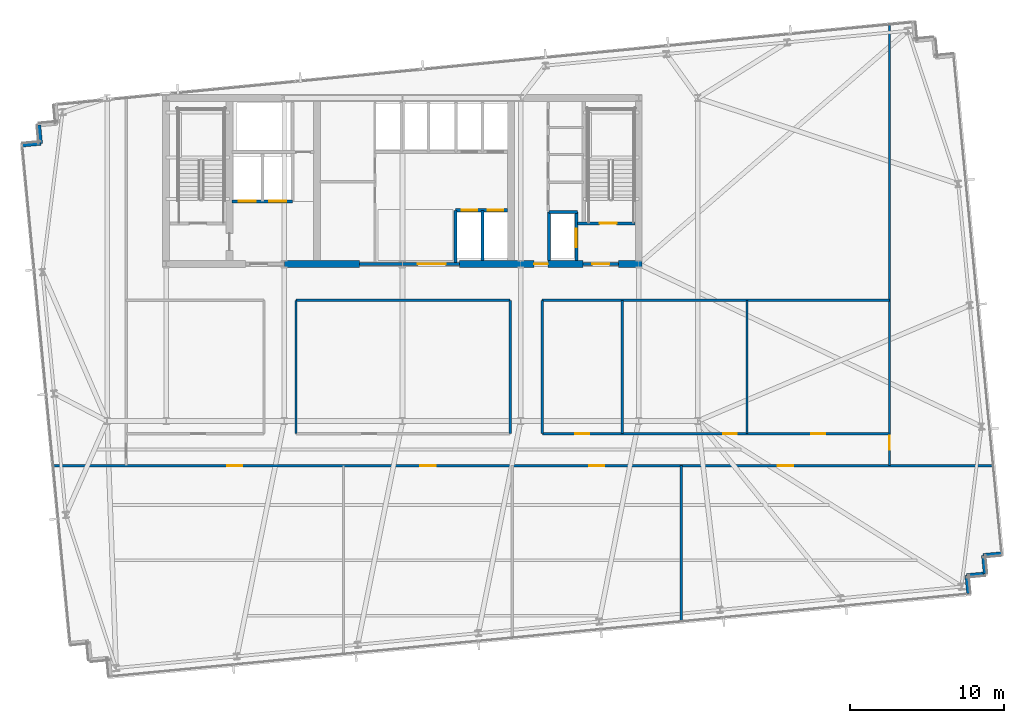
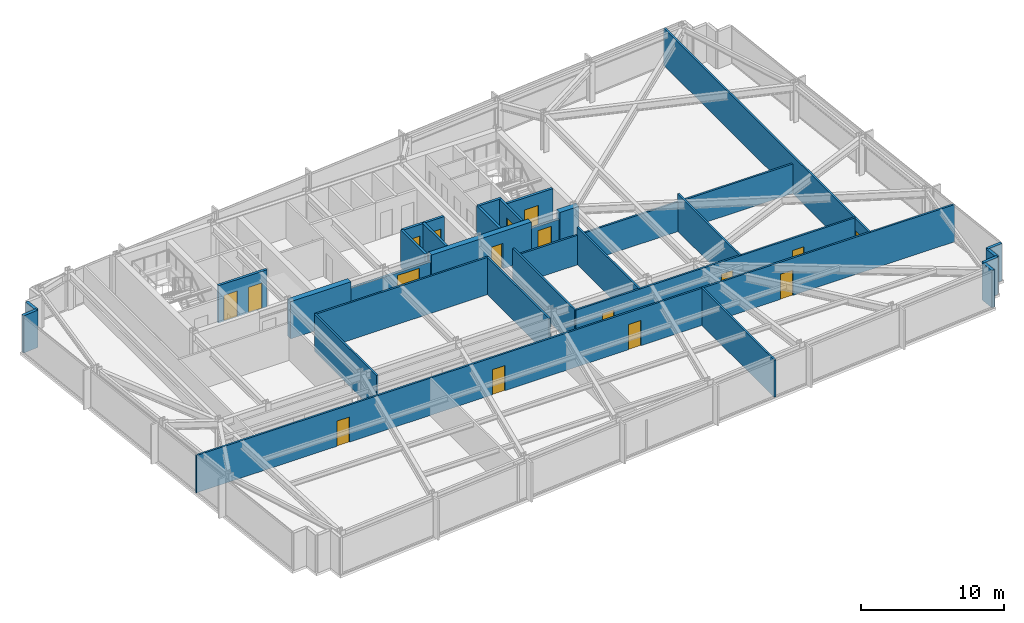
# One storey, part 25 of 32: 30 walls, 17 doors, 17 openings.
"""IFC4 building model written with IfcOpenShell, lengths in metres."""

from ifc_helpers import new_model, si_unit, direction, frame, frame_2d, origin, place, context, subcontext, project, spatial, rectangle, extrude, material, layer, layer_set, type_object, element, fill, save


model = new_model("IFC4")

# Units and contexts
model_context = context("Model", 3, precision=1e-05, world=origin(), true_north=direction((0.0, 1.0)))
body_context = subcontext(model_context, "Body", "Model", "MODEL_VIEW")
ifc_project = project(units=[si_unit("LENGTHUNIT", "METRE"), si_unit("AREAUNIT", "SQUARE_METRE"), si_unit("VOLUMEUNIT", "CUBIC_METRE"), si_unit("PLANEANGLEUNIT", "RADIAN"), si_unit("MASSUNIT", "GRAM", prefix="KILO")], contexts=[model_context])

# Site, building, storey
site_placement = place(None, origin())
site = spatial("IfcSite", under=ifc_project, at=site_placement, CompositionType="ELEMENT")
building_placement = place(site_placement, origin())
building = spatial("IfcBuilding", under=site, at=building_placement, Name="Yelkora Congress Tower", CompositionType="ELEMENT")
storey_placement = place(building_placement, frame((0.0, 0.0, 96.5)))
storey = spatial("IfcBuildingStorey", under=building, at=storey_placement, Name="L25", CompositionType="ELEMENT", Elevation=96.5)

# Wall
ifc_material_1 = material(Name="Concrete C60/75", Category="concrete")
ifc_layer_1 = layer(ifc_material_1, 0.449951171875)
ifc_layer_set_1 = layer_set([ifc_layer_1], Name="Concrete C60/75")
wall_type_1 = type_object("IfcWallType", Name="WALL-CORE-INT-450", PredefinedType="SHEAR", material=ifc_layer_set_1)
wall_1_placement = place(storey_placement, frame((30.719970703125, 35.39990234375, 0.0), z_axis=(0.0, 0.0, 1.0), x_axis=(1.0, 0.0, 0.0)))
element("IfcWall", 1, at=wall_1_placement, inside=storey, type_object=wall_type_1, Name="L25 Rear Core South-Center Shear Pier", PredefinedType="SHEAR", context=body_context, shape_type="SweptSolid", body=[
    extrude(rectangle(XDim=4.880126953125, YDim=0.449951171875, at=frame_2d((2.43994140625, 0.0))), origin(), (0.0, 0.0, 1.0), 3.179931640625),
])

# Wall, opening, door
wall_2_placement = place(storey_placement, frame((42.10009765625, 35.39990234375, 0.0), z_axis=(0.0, 0.0, 1.0), x_axis=(1.0, 0.0, 0.0)))
wall_2 = element("IfcWall", 2, at=wall_2_placement, inside=storey, type_object=wall_type_1, Name="L25 Rear Core South-East Shear Wall A", PredefinedType="SHEAR", context=body_context, shape_type="SweptSolid", body=[
    extrude(rectangle(XDim=8.0498046875, YDim=0.449951171875, at=frame_2d((4.02490234375, 0.0))), origin(), (0.0, 0.0, 1.0), 3.179931640625),
])
opening_1_placement = place(wall_2_placement, frame((4.85009765625, 0.0, 0.0)))
opening_1 = element("IfcOpeningElement", 3, at=opening_1_placement, cuts=wall_2, Name="Opening DR-090F6", PredefinedType="OPENING", context=body_context, shape_type="SweptSolid", body=[
    extrude(rectangle(XDim=0.89990234375, YDim=2.14990234375, at=frame_2d((0.449951171875, 1.074951171875))), frame((0.0, 0.23486328125, 0.0), z_axis=(0.0, -1.0, 0.0), x_axis=(1.0, 0.0, 0.0)), (0.0, 0.0, 1.0), 0.469970703125),
])
ifc_material_2 = material(Name="Painted steel riser fire door leaf", Category="steel")
door_type_1 = type_object("IfcDoorType", Name="DOOR-FD60-900", OperationType="NOTDEFINED", PredefinedType="DOOR", material=ifc_material_2)
door_1_placement = place(opening_1_placement, origin())
door_1 = element("IfcDoor", 4, at=door_1_placement, inside=storey, type_object=door_type_1, Name="L25 Core Washroom Lobby Door", OperationType="SINGLE_SWING_RIGHT", OverallHeight=2.14990234375, OverallWidth=0.89990234375, PredefinedType="DOOR", context=body_context, shape_type="SweptSolid", body=[
    extrude(rectangle(XDim=0.89990234375, YDim=2.14990234375, at=frame_2d((0.449951171875, 1.074951171875))), frame((0.0, 0.02490234375, 0.0), z_axis=(0.0, -1.0, 0.0), x_axis=(1.0, 0.0, 0.0)), (0.0, 0.0, 1.0), 0.050048828125),
])
fill(opening_1, door_1)

# Walls
wall_3_placement = place(storey_placement, frame((52.449951171875, 35.39990234375, 0.0), z_axis=(0.0, 0.0, 1.0), x_axis=(1.0, 0.0, 0.0)))
element("IfcWall", 5, at=wall_3_placement, inside=storey, type_object=wall_type_1, Name="L25 Rear Core South-East Shear Wall B", PredefinedType="SHEAR", context=body_context, shape_type="SweptSolid", body=[
    extrude(rectangle(XDim=1.53515625, YDim=0.449951171875, at=frame_2d((0.767578125, 0.0))), origin(), (0.0, 0.0, 1.0), 3.179931640625),
])
ifc_material_3 = material(Name="Concrete C40/50", Category="concrete")
ifc_layer_2 = layer(ifc_material_3, 0.239990234375)
ifc_layer_set_2 = layer_set([ifc_layer_2], Name="Concrete C40/50")
wall_type_2 = type_object("IfcWallType", Name="WALL-EXT-LIMESTONE-240", PredefinedType="SOLIDWALL", material=ifc_layer_set_2)
for number, where, z_axis, x_axis, name in (
    (6, (13.69091796875, 43.126708984375, 0.0), (0.0, 0.0, 1.0), (0.995398960025, 0.095817067274, 0.0), "L25 Serrated Corner Limestone Pier 6"),
    (7, (14.885498046875, 43.24169921875, 0.0), (0.0, 0.0, 1.0), (-0.095817067274, 0.995398960025, 0.0), "L25 Serrated Corner Limestone Pier 7"),
):
    element("IfcWall", number, at=place(storey_placement, frame(where, z_axis=z_axis, x_axis=x_axis)), inside=storey, type_object=wall_type_2, Name=name, PredefinedType="SOLIDWALL", context=body_context, shape_type="SweptSolid", body=[
        extrude(rectangle(XDim=1.2001953125, YDim=0.239990234375, at=frame_2d((0.60009765625, 0.0))), origin(), (0.0, 0.0, 1.0), 3.179931640625),
    ])
wall_4_placement = place(storey_placement, frame((77.34765625, 16.585693359375, 0.0), z_axis=(0.0, 0.0, 1.0), x_axis=(-0.995397091755, -0.095836473879, 0.0)))
element("IfcWall", 8, at=wall_4_placement, inside=storey, type_object=wall_type_2, Name="L25 Serrated Corner Limestone Pier 16", PredefinedType="SOLIDWALL", context=body_context, shape_type="SweptSolid", body=[
    extrude(rectangle(XDim=1.199951171875, YDim=0.239990234375, at=frame_2d((0.60009765625, 0.0))), origin(), (0.0, 0.0, 1.0), 3.179931640625),
])
for number, where, z_axis, x_axis, name in (
    (9, (76.1533203125, 16.470703125, 0.0), (0.0, 0.0, 1.0), (0.095817067274, -0.995398960025, 0.0), "L25 Serrated Corner Limestone Pier 17"),
    (10, (76.268310546875, 15.276123046875, 0.0), (0.0, 0.0, 1.0), (-0.995398960025, -0.095817067274, 0.0), "L25 Serrated Corner Limestone Pier 18"),
):
    element("IfcWall", number, at=place(storey_placement, frame(where, z_axis=z_axis, x_axis=x_axis)), inside=storey, type_object=wall_type_2, Name=name, PredefinedType="SOLIDWALL", context=body_context, shape_type="SweptSolid", body=[
        extrude(rectangle(XDim=1.2001953125, YDim=0.239990234375, at=frame_2d((0.60009765625, 0.0))), origin(), (0.0, 0.0, 1.0), 3.179931640625),
    ])
wall_5_placement = place(storey_placement, frame((75.07373046875, 15.1611328125, 0.0), z_axis=(0.0, 0.0, 1.0), x_axis=(0.095836473879, -0.995397091755, 0.0)))
element("IfcWall", 11, at=wall_5_placement, inside=storey, type_object=wall_type_2, Name="L25 Serrated Corner Limestone Pier 19", PredefinedType="SOLIDWALL", context=body_context, shape_type="SweptSolid", body=[
    extrude(rectangle(XDim=1.199951171875, YDim=0.239990234375, at=frame_2d((0.60009765625, 0.0))), origin(), (0.0, 0.0, 1.0), 3.179931640625),
])
ifc_material_4 = material(Name="Acoustic metal-stud gypsum partition", Category="gypsum")
ifc_layer_3 = layer(ifc_material_4, 0.14990234375)
ifc_layer_set_3 = layer_set([ifc_layer_3], Name="Acoustic metal-stud gypsum partition")
wall_type_3 = type_object("IfcWallType", Name="WALL-INT-150-NR", PredefinedType="PARTITIONING", material=ifc_layer_set_3)
wall_6_placement = place(storey_placement, frame((56.512939453125, 12.108154296875, 0.0), z_axis=(0.0, 0.0, 1.0), x_axis=(0.0, 1.0, 0.0)))
element("IfcWall", 12, at=wall_6_placement, inside=storey, type_object=wall_type_3, Name="L25 Partition Wall 30", PredefinedType="PARTITIONING", context=body_context, shape_type="SweptSolid", body=[
    extrude(rectangle(XDim=10.2119140625, YDim=0.14990234375, at=frame_2d((5.10595703125, 0.0))), origin(), (0.0, 0.0, 1.0), 3.179931640625),
])

# Wall, openings, doors
wall_7_placement = place(storey_placement, frame((15.635986328125, 22.300048828125, 0.0), z_axis=(0.0, 0.0, 1.0), x_axis=(1.0, 0.0, 0.0)))
wall_7 = element("IfcWall", 13, at=wall_7_placement, inside=storey, type_object=wall_type_3, Name="L25 South Spine Wall", PredefinedType="PARTITIONING", context=body_context, shape_type="SweptSolid", body=[
    extrude(rectangle(XDim=61.221923828125, YDim=0.14990234375, at=frame_2d((30.61083984375, 0.0))), origin(), (0.0, 0.0, 1.0), 3.179931640625),
])
opening_2_placement = place(wall_7_placement, frame((11.364990234375, 0.0, 0.0)))
opening_2 = element("IfcOpeningElement", 14, at=opening_2_placement, cuts=wall_7, Name="Opening DR-100N", PredefinedType="OPENING", context=body_context, shape_type="SweptSolid", body=[
    extrude(rectangle(XDim=1.0, YDim=2.14990234375, at=frame_2d((0.5, 1.074951171875))), frame((0.0, 0.0849609375, 0.0), z_axis=(0.0, -1.0, 0.0), x_axis=(1.0, 0.0, 0.0)), (0.0, 0.0, 1.0), 0.169921875),
])
opening_3_placement = place(wall_7_placement, frame((23.91650390625, 0.0, 0.0)))
opening_3 = element("IfcOpeningElement", 15, at=opening_3_placement, cuts=wall_7, Name="Opening DR-100N", PredefinedType="OPENING", context=body_context, shape_type="SweptSolid", body=[
    extrude(rectangle(XDim=1.0, YDim=2.14990234375, at=frame_2d((0.5, 1.074951171875))), frame((0.0, 0.0849609375, 0.0), z_axis=(0.0, -1.0, 0.0), x_axis=(1.0, 0.0, 0.0)), (0.0, 0.0, 1.0), 0.169921875),
])
opening_4_placement = place(wall_7_placement, frame((34.89013671875, 0.0, 0.0)))
opening_4 = element("IfcOpeningElement", 16, at=opening_4_placement, cuts=wall_7, Name="Opening DR-100N", PredefinedType="OPENING", context=body_context, shape_type="SweptSolid", body=[
    extrude(rectangle(XDim=1.0, YDim=2.14990234375, at=frame_2d((0.5, 1.074951171875))), frame((0.0, 0.0849609375, 0.0), z_axis=(0.0, -1.0, 0.0), x_axis=(1.0, 0.0, 0.0)), (0.0, 0.0, 1.0), 0.169921875),
])
opening_5_placement = place(wall_7_placement, frame((47.149658203125, 0.0, 0.0)))
opening_5 = element("IfcOpeningElement", 17, at=opening_5_placement, cuts=wall_7, Name="Opening DR-100N", PredefinedType="OPENING", context=body_context, shape_type="SweptSolid", body=[
    extrude(rectangle(XDim=1.0, YDim=2.14990234375, at=frame_2d((0.5, 1.074951171875))), frame((0.0, 0.0849609375, 0.0), z_axis=(0.0, -1.0, 0.0), x_axis=(1.0, 0.0, 0.0)), (0.0, 0.0, 1.0), 0.169921875),
])
ifc_material_5 = material(Name="Solid-core Anatolian oak veneer door", Category="wood")
door_type_2 = type_object("IfcDoorType", Name="DOOR-INT-1000", OperationType="NOTDEFINED", PredefinedType="DOOR", material=ifc_material_5)
door_2_placement = place(opening_2_placement, origin())
door_2 = element("IfcDoor", 18, at=door_2_placement, inside=storey, type_object=door_type_2, Name="L25 Meeting Suite Door", OperationType="SINGLE_SWING_RIGHT", OverallHeight=2.14990234375, OverallWidth=1.0, PredefinedType="DOOR", context=body_context, shape_type="SweptSolid", body=[
    extrude(rectangle(XDim=1.0, YDim=2.14990234375, at=frame_2d((0.5, 1.074951171875))), frame((0.0, 0.02490234375, 0.0), z_axis=(0.0, -1.0, 0.0), x_axis=(1.0, 0.0, 0.0)), (0.0, 0.0, 1.0), 0.050048828125),
])
fill(opening_2, door_2)
door_3_placement = place(opening_3_placement, origin())
door_3 = element("IfcDoor", 19, at=door_3_placement, inside=storey, type_object=door_type_2, Name="L25 Delegate Library Lounge Door", OperationType="SINGLE_SWING_LEFT", OverallHeight=2.14990234375, OverallWidth=1.0, PredefinedType="DOOR", context=body_context, shape_type="SweptSolid", body=[
    extrude(rectangle(XDim=1.0, YDim=2.14990234375, at=frame_2d((0.5, 1.074951171875))), frame((0.0, 0.02490234375, 0.0), z_axis=(0.0, -1.0, 0.0), x_axis=(1.0, 0.0, 0.0)), (0.0, 0.0, 1.0), 0.050048828125),
])
fill(opening_3, door_3)
door_4_placement = place(opening_4_placement, origin())
door_4 = element("IfcDoor", 20, at=door_4_placement, inside=storey, type_object=door_type_2, Name="L25 Pantry & Servery Door", OperationType="SINGLE_SWING_RIGHT", OverallHeight=2.14990234375, OverallWidth=1.0, PredefinedType="DOOR", context=body_context, shape_type="SweptSolid", body=[
    extrude(rectangle(XDim=1.0, YDim=2.14990234375, at=frame_2d((0.5, 1.074951171875))), frame((0.0, 0.02490234375, 0.0), z_axis=(0.0, -1.0, 0.0), x_axis=(1.0, 0.0, 0.0)), (0.0, 0.0, 1.0), 0.050048828125),
])
fill(opening_4, door_4)
door_5_placement = place(opening_5_placement, origin())
door_5 = element("IfcDoor", 21, at=door_5_placement, inside=storey, type_object=door_type_2, Name="L25 Open-Plan Office Door", OperationType="SINGLE_SWING_LEFT", OverallHeight=2.14990234375, OverallWidth=1.0, PredefinedType="DOOR", context=body_context, shape_type="SweptSolid", body=[
    extrude(rectangle(XDim=1.0, YDim=2.14990234375, at=frame_2d((0.5, 1.074951171875))), frame((0.0, 0.02490234375, 0.0), z_axis=(0.0, -1.0, 0.0), x_axis=(1.0, 0.0, 0.0)), (0.0, 0.0, 1.0), 0.050048828125),
])
fill(opening_5, door_5)

# Wall, opening, door
wall_8_placement = place(storey_placement, frame((70.05810546875, 22.300048828125, 0.0), z_axis=(0.0, 0.0, 1.0), x_axis=(0.0, 1.0, 0.0)))
wall_8 = element("IfcWall", 22, at=wall_8_placement, inside=storey, type_object=wall_type_3, Name="L25 Partition Wall 33", PredefinedType="PARTITIONING", context=body_context, shape_type="SweptSolid", body=[
    extrude(rectangle(XDim=28.7255859375, YDim=0.14990234375, at=frame_2d((14.36279296875, 0.0))), origin(), (0.0, 0.0, 1.0), 3.179931640625),
])
opening_6_placement = place(wall_8_placement, frame((1.030029296875, 0.0, 0.0)))
opening_6 = element("IfcOpeningElement", 23, at=opening_6_placement, cuts=wall_8, Name="Opening DR-090N", PredefinedType="OPENING", context=body_context, shape_type="SweptSolid", body=[
    extrude(rectangle(XDim=0.89990234375, YDim=2.14990234375, at=frame_2d((0.449951171875, 1.074951171875))), frame((0.0, 0.0849609375, 0.0), z_axis=(0.0, -1.0, 0.0), x_axis=(1.0, 0.0, 0.0)), (0.0, 0.0, 1.0), 0.169921875),
])
ifc_material_6 = material(Name="Moisture-resistant laminate door leaf", Category="wood")
door_type_3 = type_object("IfcDoorType", Name="DOOR-INT-900", OperationType="NOTDEFINED", PredefinedType="DOOR", material=ifc_material_6)
door_6_placement = place(opening_6_placement, origin())
door_6 = element("IfcDoor", 24, at=door_6_placement, inside=storey, type_object=door_type_3, Name="L25 E Wing Door", OperationType="SINGLE_SWING_LEFT", OverallHeight=2.14990234375, OverallWidth=0.89990234375, PredefinedType="DOOR", context=body_context, shape_type="SweptSolid", body=[
    extrude(rectangle(XDim=0.89990234375, YDim=2.14990234375, at=frame_2d((0.449951171875, 1.074951171875))), frame((0.0, 0.02490234375, 0.0), z_axis=(0.0, -1.0, 0.0), x_axis=(1.0, 0.0, 0.0)), (0.0, 0.0, 1.0), 0.050048828125),
])
fill(opening_6, door_6)

# Walls
for number, where, z_axis, x_axis, name in (
    (25, (31.47998046875, 24.3798828125, 0.0), (0.0, 0.0, 1.0), (0.0, 1.0, 0.0), "L25 Partition Wall 35"),
    (26, (45.39990234375, 24.3798828125, 0.0), (0.0, 0.0, 1.0), (0.0, 1.0, 0.0), "L25 Partition Wall 36"),
    (27, (47.47998046875, 24.3798828125, 0.0), (0.0, 0.0, 1.0), (0.0, 1.0, 0.0), "L25 Partition Wall 37"),
):
    element("IfcWall", number, at=place(storey_placement, frame(where, z_axis=z_axis, x_axis=x_axis)), inside=storey, type_object=wall_type_3, Name=name, PredefinedType="PARTITIONING", context=body_context, shape_type="SweptSolid", body=[
        extrude(rectangle(XDim=8.670166015625, YDim=0.14990234375, at=frame_2d((4.3349609375, 0.0))), origin(), (0.0, 0.0, 1.0), 3.179931640625),
    ])
wall_9_placement = place(storey_placement, frame((31.47998046875, 33.050048828125, 0.0), z_axis=(0.0, 0.0, 1.0), x_axis=(1.0, 0.0, 0.0)))
element("IfcWall", 28, at=wall_9_placement, inside=storey, type_object=wall_type_3, Name="L25 Partition Wall 39", PredefinedType="PARTITIONING", context=body_context, shape_type="SweptSolid", body=[
    extrude(rectangle(XDim=13.919921875, YDim=0.14990234375, at=frame_2d((6.9599609375, 0.0))), origin(), (0.0, 0.0, 1.0), 3.179931640625),
])
wall_10_placement = place(storey_placement, frame((47.47998046875, 33.050048828125, 0.0), z_axis=(0.0, 0.0, 1.0), x_axis=(1.0, 0.0, 0.0)))
element("IfcWall", 29, at=wall_10_placement, inside=storey, type_object=wall_type_3, Name="L25 Partition Wall 40", PredefinedType="PARTITIONING", context=body_context, shape_type="SweptSolid", body=[
    extrude(rectangle(XDim=22.578125, YDim=0.14990234375, at=frame_2d((11.2890625, 0.0))), origin(), (0.0, 0.0, 1.0), 2.52490234375),
])
for number, where, z_axis, x_axis, name in (
    (30, (52.676025390625, 24.3798828125, 0.0), (0.0, 0.0, 1.0), (0.0, 1.0, 0.0), "L25 Partition Wall 43"),
    (31, (60.79296875, 24.3798828125, 0.0), (0.0, 0.0, 1.0), (0.0, 1.0, 0.0), "L25 Partition Wall 44"),
):
    element("IfcWall", number, at=place(storey_placement, frame(where, z_axis=z_axis, x_axis=x_axis)), inside=storey, type_object=wall_type_3, Name=name, PredefinedType="PARTITIONING", context=body_context, shape_type="SweptSolid", body=[
        extrude(rectangle(XDim=8.670166015625, YDim=0.14990234375, at=frame_2d((4.3349609375, 0.0))), origin(), (0.0, 0.0, 1.0), 3.179931640625),
    ])

# Wall, openings, doors
wall_11_placement = place(storey_placement, frame((47.489990234375, 24.3798828125, 0.0), z_axis=(0.0, 0.0, 1.0), x_axis=(1.0, 0.0, 0.0)))
wall_11 = element("IfcWall", 32, at=wall_11_placement, inside=storey, type_object=wall_type_3, Name="L25 Partition Wall 45", PredefinedType="PARTITIONING", context=body_context, shape_type="SweptSolid", body=[
    extrude(rectangle(XDim=22.548095703125, YDim=0.14990234375, at=frame_2d((11.27392578125, 0.0))), origin(), (0.0, 0.0, 1.0), 3.179931640625),
])
opening_7_placement = place(wall_11_placement, frame((2.14306640625, 0.0, 0.0)))
opening_7 = element("IfcOpeningElement", 33, at=opening_7_placement, cuts=wall_11, Name="Opening DR-090N", PredefinedType="OPENING", context=body_context, shape_type="SweptSolid", body=[
    extrude(rectangle(XDim=0.89990234375, YDim=2.14990234375, at=frame_2d((0.449951171875, 1.074951171875))), frame((0.0, 0.0849609375, 0.0), z_axis=(0.0, -1.0, 0.0), x_axis=(1.0, 0.0, 0.0)), (0.0, 0.0, 1.0), 0.169921875),
])
opening_8_placement = place(wall_11_placement, frame((11.7529296875, 0.0, 0.0)))
opening_8 = element("IfcOpeningElement", 34, at=opening_8_placement, cuts=wall_11, Name="Opening DR-090N", PredefinedType="OPENING", context=body_context, shape_type="SweptSolid", body=[
    extrude(rectangle(XDim=0.89990234375, YDim=2.14990234375, at=frame_2d((0.449951171875, 1.074951171875))), frame((0.0, 0.0849609375, 0.0), z_axis=(0.0, -1.0, 0.0), x_axis=(1.0, 0.0, 0.0)), (0.0, 0.0, 1.0), 0.169921875),
])
opening_9_placement = place(wall_11_placement, frame((17.4755859375, 0.0, 0.0)))
opening_9 = element("IfcOpeningElement", 35, at=opening_9_placement, cuts=wall_11, Name="Opening DR-090N", PredefinedType="OPENING", context=body_context, shape_type="SweptSolid", body=[
    extrude(rectangle(XDim=0.89990234375, YDim=2.14990234375, at=frame_2d((0.449951171875, 1.074951171875))), frame((0.0, 0.0849609375, 0.0), z_axis=(0.0, -1.0, 0.0), x_axis=(1.0, 0.0, 0.0)), (0.0, 0.0, 1.0), 0.169921875),
])
door_7_placement = place(opening_7_placement, origin())
door_7 = element("IfcDoor", 36, at=door_7_placement, inside=storey, type_object=door_type_3, Name="L25 First-Aid Treatment Room Door", OperationType="SINGLE_SWING_RIGHT", OverallHeight=2.14990234375, OverallWidth=0.89990234375, PredefinedType="DOOR", context=body_context, shape_type="SweptSolid", body=[
    extrude(rectangle(XDim=0.89990234375, YDim=2.14990234375, at=frame_2d((0.449951171875, 1.074951171875))), frame((0.0, 0.02490234375, 0.0), z_axis=(0.0, -1.0, 0.0), x_axis=(1.0, 0.0, 0.0)), (0.0, 0.0, 1.0), 0.050048828125),
])
fill(opening_7, door_7)
door_8_placement = place(opening_8_placement, origin())
door_8 = element("IfcDoor", 37, at=door_8_placement, inside=storey, type_object=door_type_3, Name="L25 Wellness Consult Room Door", OperationType="SINGLE_SWING_LEFT", OverallHeight=2.14990234375, OverallWidth=0.89990234375, PredefinedType="DOOR", context=body_context, shape_type="SweptSolid", body=[
    extrude(rectangle(XDim=0.89990234375, YDim=2.14990234375, at=frame_2d((0.449951171875, 1.074951171875))), frame((0.0, 0.02490234375, 0.0), z_axis=(0.0, -1.0, 0.0), x_axis=(1.0, 0.0, 0.0)), (0.0, 0.0, 1.0), 0.050048828125),
])
fill(opening_8, door_8)
door_9_placement = place(opening_9_placement, origin())
door_9 = element("IfcDoor", 38, at=door_9_placement, inside=storey, type_object=door_type_3, Name="L25 Diplomatic Day Lounge Door", OperationType="SINGLE_SWING_RIGHT", OverallHeight=2.14990234375, OverallWidth=0.89990234375, PredefinedType="DOOR", context=body_context, shape_type="SweptSolid", body=[
    extrude(rectangle(XDim=0.89990234375, YDim=2.14990234375, at=frame_2d((0.449951171875, 1.074951171875))), frame((0.0, 0.02490234375, 0.0), z_axis=(0.0, -1.0, 0.0), x_axis=(1.0, 0.0, 0.0)), (0.0, 0.0, 1.0), 0.050048828125),
])
fill(opening_9, door_9)

ifc_material_7 = material(Name="Autoclaved aerated concrete blockwork", Category="masonry")
ifc_layer_4 = layer(ifc_material_7, 0.199951171875)
ifc_layer_set_4 = layer_set([ifc_layer_4], Name="Autoclaved aerated concrete blockwork")
wall_type_4 = type_object("IfcWallType", Name="WALL-INT-200-R120", PredefinedType="PARTITIONING", material=ifc_layer_set_4)
wall_12_placement = place(storey_placement, frame((27.320068359375, 39.47998046875, 0.0), z_axis=(0.0, 0.0, 1.0), x_axis=(1.0, 0.0, 0.0)))
wall_12 = element("IfcWall", 39, at=wall_12_placement, inside=storey, type_object=wall_type_4, Name="L25 Firefighting Lift Front Wall", PredefinedType="PARTITIONING", context=body_context, shape_type="SweptSolid", body=[
    extrude(rectangle(XDim=3.93994140625, YDim=0.199951171875, at=frame_2d((1.969970703125, 0.0))), origin(), (0.0, 0.0, 1.0), 3.179931640625),
])
opening_10_placement = place(wall_12_placement, frame((0.449951171875, 0.0, 0.0)))
opening_10 = element("IfcOpeningElement", 40, at=opening_10_placement, cuts=wall_12, Name="Opening LD-FF11", PredefinedType="OPENING", context=body_context, shape_type="SweptSolid", body=[
    extrude(rectangle(XDim=1.10009765625, YDim=2.199951171875, at=frame_2d((0.550048828125, 1.10009765625))), frame((0.0, 0.10986328125, 0.0), z_axis=(0.0, -1.0, 0.0), x_axis=(1.0, 0.0, 0.0)), (0.0, 0.0, 1.0), 0.219970703125),
])
opening_11_placement = place(wall_12_placement, frame((2.409912109375, 0.0, 0.0)))
opening_11 = element("IfcOpeningElement", 41, at=opening_11_placement, cuts=wall_12, Name="Opening LD-FF11", PredefinedType="OPENING", context=body_context, shape_type="SweptSolid", body=[
    extrude(rectangle(XDim=1.10009765625, YDim=2.199951171875, at=frame_2d((0.550048828125, 1.10009765625))), frame((0.0, 0.10986328125, 0.0), z_axis=(0.0, -1.0, 0.0), x_axis=(1.0, 0.0, 0.0)), (0.0, 0.0, 1.0), 0.219970703125),
])
ifc_material_8 = material(Name="Brushed stainless steel 316L landing door", Category="steel")
door_type_4 = type_object("IfcDoorType", Name="DOOR-LIFT-FF-1100", OperationType="DOUBLE_DOOR_SLIDING", PredefinedType="DOOR", material=ifc_material_8)
door_10_placement = place(opening_10_placement, origin())
door_10 = element("IfcDoor", 42, at=door_10_placement, inside=storey, type_object=door_type_4, Name="Lift Landing Door LF-FF1 L25", OperationType="DOUBLE_DOOR_SLIDING", OverallHeight=2.199951171875, OverallWidth=1.10009765625, PredefinedType="DOOR", context=body_context, shape_type="SweptSolid", body=[
    extrude(rectangle(XDim=1.10009765625, YDim=2.199951171875, at=frame_2d((0.550048828125, 1.10009765625))), frame((0.0, 0.02490234375, 0.0), z_axis=(0.0, -1.0, 0.0), x_axis=(1.0, 0.0, 0.0)), (0.0, 0.0, 1.0), 0.050048828125),
])
fill(opening_10, door_10)
door_11_placement = place(opening_11_placement, origin())
door_11 = element("IfcDoor", 43, at=door_11_placement, inside=storey, type_object=door_type_4, Name="Lift Landing Door LF-FF2 L25", OperationType="DOUBLE_DOOR_SLIDING", OverallHeight=2.199951171875, OverallWidth=1.10009765625, PredefinedType="DOOR", context=body_context, shape_type="SweptSolid", body=[
    extrude(rectangle(XDim=1.10009765625, YDim=2.199951171875, at=frame_2d((0.550048828125, 1.10009765625))), frame((0.0, 0.02490234375, 0.0), z_axis=(0.0, -1.0, 0.0), x_axis=(1.0, 0.0, 0.0)), (0.0, 0.0, 1.0), 0.050048828125),
])
fill(opening_11, door_11)

# Wall, opening, door
wall_13_placement = place(storey_placement, frame((35.60009765625, 35.39990234375, 0.0), z_axis=(0.0, 0.0, 1.0), x_axis=(1.0, 0.0, 0.0)))
wall_13 = element("IfcWall", 44, at=wall_13_placement, inside=storey, type_object=wall_type_4, Name="L25 Main Lift Lobby South Portal Wall", PredefinedType="PARTITIONING", context=body_context, shape_type="SweptSolid", body=[
    extrude(rectangle(XDim=6.5, YDim=0.199951171875, at=frame_2d((3.25, 0.0))), origin(), (0.0, 0.0, 1.0), 2.52490234375),
])
opening_12_placement = place(wall_13_placement, frame((3.800048828125, 0.0, 0.0)))
opening_12 = element("IfcOpeningElement", 45, at=opening_12_placement, cuts=wall_13, Name="Opening DR-180D", PredefinedType="OPENING", context=body_context, shape_type="SweptSolid", body=[
    extrude(rectangle(XDim=1.800048828125, YDim=2.300048828125, at=frame_2d((0.89990234375, 1.14990234375))), frame((0.0, 0.10986328125, 0.0), z_axis=(0.0, -1.0, 0.0), x_axis=(1.0, 0.0, 0.0)), (0.0, 0.0, 1.0), 0.219970703125),
])
ifc_material_9 = material(Name="Acoustic double congress hall doors", Category="wood")
door_type_5 = type_object("IfcDoorType", Name="DOOR-DBL-1800", OperationType="DOUBLE_DOOR_SINGLE_SWING", PredefinedType="DOOR", material=ifc_material_9)
door_12_placement = place(opening_12_placement, origin())
door_12 = element("IfcDoor", 46, at=door_12_placement, inside=storey, type_object=door_type_5, Name="L25 Main Lift Lobby Portal Door", OperationType="DOUBLE_DOOR_SINGLE_SWING", OverallHeight=2.300048828125, OverallWidth=1.800048828125, PredefinedType="DOOR", context=body_context, shape_type="SweptSolid", body=[
    extrude(rectangle(XDim=1.800048828125, YDim=2.300048828125, at=frame_2d((0.89990234375, 1.14990234375))), frame((0.0, 0.02490234375, 0.0), z_axis=(0.0, -1.0, 0.0), x_axis=(1.0, 0.0, 0.0)), (0.0, 0.0, 1.0), 0.050048828125),
])
fill(opening_12, door_12)

# Wall, openings, doors
wall_14_placement = place(storey_placement, frame((41.85009765625, 38.89990234375, 0.0), z_axis=(0.0, 0.0, 1.0), x_axis=(1.0, 0.0, 0.0)))
wall_14 = element("IfcWall", 47, at=wall_14_placement, inside=storey, type_object=wall_type_4, Name="L25 Partition Wall 13", PredefinedType="PARTITIONING", context=body_context, shape_type="SweptSolid", body=[
    extrude(rectangle(XDim=3.369873046875, YDim=0.199951171875, at=frame_2d((1.68505859375, 0.0))), origin(), (0.0, 0.0, 1.0), 3.179931640625),
])
opening_13_placement = place(wall_14_placement, frame((0.39990234375, 0.0, 0.0)))
opening_13 = element("IfcOpeningElement", 48, at=opening_13_placement, cuts=wall_14, Name="Opening LD-PS10", PredefinedType="OPENING", context=body_context, shape_type="SweptSolid", body=[
    extrude(rectangle(XDim=1.0, YDim=2.199951171875, at=frame_2d((0.5, 1.10009765625))), frame((0.0, 0.10986328125, 0.0), z_axis=(0.0, -1.0, 0.0), x_axis=(1.0, 0.0, 0.0)), (0.0, 0.0, 1.0), 0.219970703125),
])
opening_14_placement = place(wall_14_placement, frame((2.10009765625, 0.0, 0.0)))
opening_14 = element("IfcOpeningElement", 49, at=opening_14_placement, cuts=wall_14, Name="Opening LD-PS10", PredefinedType="OPENING", context=body_context, shape_type="SweptSolid", body=[
    extrude(rectangle(XDim=1.0, YDim=2.199951171875, at=frame_2d((0.5, 1.10009765625))), frame((0.0, 0.10986328125, 0.0), z_axis=(0.0, -1.0, 0.0), x_axis=(1.0, 0.0, 0.0)), (0.0, 0.0, 1.0), 0.219970703125),
])
ifc_material_10 = material(Name="Champagne stainless steel landing door", Category="steel")
door_type_6 = type_object("IfcDoorType", Name="DOOR-LIFT-PAS-1000", OperationType="DOUBLE_DOOR_SLIDING", PredefinedType="DOOR", material=ifc_material_10)
door_13_placement = place(opening_13_placement, origin())
door_13 = element("IfcDoor", 50, at=door_13_placement, inside=storey, type_object=door_type_6, Name="Lift Landing Door LF-P5 L25", OperationType="DOUBLE_DOOR_SLIDING", OverallHeight=2.199951171875, OverallWidth=1.0, PredefinedType="DOOR", context=body_context, shape_type="SweptSolid", body=[
    extrude(rectangle(XDim=1.0, YDim=2.199951171875, at=frame_2d((0.5, 1.10009765625))), frame((0.0, 0.02490234375, 0.0), z_axis=(0.0, -1.0, 0.0), x_axis=(1.0, 0.0, 0.0)), (0.0, 0.0, 1.0), 0.050048828125),
])
fill(opening_13, door_13)
door_14_placement = place(opening_14_placement, origin())
door_14 = element("IfcDoor", 51, at=door_14_placement, inside=storey, type_object=door_type_6, Name="Lift Landing Door LF-P6 L25", OperationType="DOUBLE_DOOR_SLIDING", OverallHeight=2.199951171875, OverallWidth=1.0, PredefinedType="DOOR", context=body_context, shape_type="SweptSolid", body=[
    extrude(rectangle(XDim=1.0, YDim=2.199951171875, at=frame_2d((0.5, 1.10009765625))), frame((0.0, 0.02490234375, 0.0), z_axis=(0.0, -1.0, 0.0), x_axis=(1.0, 0.0, 0.0)), (0.0, 0.0, 1.0), 0.050048828125),
])
fill(opening_14, door_14)

# Walls
wall_15_placement = place(storey_placement, frame((43.60009765625, 35.64990234375, 0.0), z_axis=(0.0, 0.0, 1.0), x_axis=(0.0, 1.0, 0.0)))
element("IfcWall", 52, at=wall_15_placement, inside=storey, type_object=wall_type_4, Name="L25 Partition Wall 15", PredefinedType="PARTITIONING", context=body_context, shape_type="SweptSolid", body=[
    extrude(rectangle(XDim=3.25, YDim=0.199951171875, at=frame_2d((1.625, 0.0))), origin(), (0.0, 0.0, 1.0), 3.179931640625),
])
wall_16_placement = place(storey_placement, frame((41.85009765625, 35.5, 0.0), z_axis=(0.0, 0.0, 1.0), x_axis=(0.0, 1.0, 0.0)))
element("IfcWall", 53, at=wall_16_placement, inside=storey, type_object=wall_type_4, Name="L25 Partition Wall 17", PredefinedType="PARTITIONING", context=body_context, shape_type="SweptSolid", body=[
    extrude(rectangle(XDim=3.39990234375, YDim=0.199951171875, at=frame_2d((1.699951171875, 0.0))), origin(), (0.0, 0.0, 1.0), 3.179931640625),
])

# Wall, opening, door
wall_17_placement = place(storey_placement, frame((49.780029296875, 38.050048828125, 0.0), z_axis=(0.0, 0.0, 1.0), x_axis=(1.0, 0.0, 0.0)))
wall_17 = element("IfcWall", 54, at=wall_17_placement, inside=storey, type_object=wall_type_4, Name="L25 Stair ST-02 Enclosure Wall", PredefinedType="PARTITIONING", context=body_context, shape_type="SweptSolid", body=[
    extrude(rectangle(XDim=3.719970703125, YDim=0.199951171875, at=frame_2d((1.85986328125, 0.0))), origin(), (0.0, 0.0, 1.0), 3.179931640625),
])
opening_15_placement = place(wall_17_placement, frame((1.436279296875, 0.0, 0.0)))
opening_15 = element("IfcOpeningElement", 55, at=opening_15_placement, cuts=wall_17, Name="Opening DR-110F9", PredefinedType="OPENING", context=body_context, shape_type="SweptSolid", body=[
    extrude(rectangle(XDim=1.10009765625, YDim=2.14990234375, at=frame_2d((0.550048828125, 1.074951171875))), frame((0.0, 0.10986328125, 0.0), z_axis=(0.0, -1.0, 0.0), x_axis=(1.0, 0.0, 0.0)), (0.0, 0.0, 1.0), 0.219970703125),
])
ifc_material_11 = material(Name="Galvanised steel fire door leaf", Category="steel")
door_type_7 = type_object("IfcDoorType", Name="DOOR-FD90-1100", OperationType="NOTDEFINED", PredefinedType="DOOR", material=ifc_material_11)
door_15_placement = place(opening_15_placement, origin())
door_15 = element("IfcDoor", 56, at=door_15_placement, inside=storey, type_object=door_type_7, Name="L25 Stair ST-02 Entry Door", OperationType="SINGLE_SWING_LEFT", OverallHeight=2.14990234375, OverallWidth=1.10009765625, PredefinedType="DOOR", context=body_context, shape_type="SweptSolid", body=[
    extrude(rectangle(XDim=1.10009765625, YDim=2.14990234375, at=frame_2d((0.550048828125, 1.074951171875))), frame((0.0, 0.02490234375, 0.0), z_axis=(0.0, -1.0, 0.0), x_axis=(1.0, 0.0, 0.0)), (0.0, 0.0, 1.0), 0.050048828125),
])
fill(opening_15, door_15)

wall_18_placement = place(storey_placement, frame((50.14990234375, 35.39990234375, 0.0), z_axis=(0.0, 0.0, 1.0), x_axis=(1.0, 0.0, 0.0)))
wall_18 = element("IfcWall", 57, at=wall_18_placement, inside=storey, type_object=wall_type_4, Name="L25 Partition Wall 20", PredefinedType="PARTITIONING", context=body_context, shape_type="SweptSolid", body=[
    extrude(rectangle(XDim=2.300048828125, YDim=0.199951171875, at=frame_2d((1.14990234375, 0.0))), origin(), (0.0, 0.0, 1.0), 2.52490234375),
])
opening_16_placement = place(wall_18_placement, frame((0.60009765625, 0.0, 0.0)))
opening_16 = element("IfcOpeningElement", 58, at=opening_16_placement, cuts=wall_18, Name="Opening DR-110F9", PredefinedType="OPENING", context=body_context, shape_type="SweptSolid", body=[
    extrude(rectangle(XDim=1.10009765625, YDim=2.14990234375, at=frame_2d((0.550048828125, 1.074951171875))), frame((0.0, 0.10986328125, 0.0), z_axis=(0.0, -1.0, 0.0), x_axis=(1.0, 0.0, 0.0)), (0.0, 0.0, 1.0), 0.219970703125),
])
door_16_placement = place(opening_16_placement, origin())
door_16 = element("IfcDoor", 59, at=door_16_placement, inside=storey, type_object=door_type_7, Name="L25 East Stair Lobby Door", OperationType="SINGLE_SWING_RIGHT", OverallHeight=2.14990234375, OverallWidth=1.10009765625, PredefinedType="DOOR", context=body_context, shape_type="SweptSolid", body=[
    extrude(rectangle(XDim=1.10009765625, YDim=2.14990234375, at=frame_2d((0.550048828125, 1.074951171875))), frame((0.0, 0.02490234375, 0.0), z_axis=(0.0, -1.0, 0.0), x_axis=(1.0, 0.0, 0.0)), (0.0, 0.0, 1.0), 0.050048828125),
])
fill(opening_16, door_16)

wall_19_placement = place(storey_placement, frame((49.699951171875, 35.64990234375, 0.0), z_axis=(0.0, 0.0, 1.0), x_axis=(0.0, 1.0, 0.0)))
wall_19 = element("IfcWall", 60, at=wall_19_placement, inside=storey, type_object=wall_type_4, Name="L25 Partition Wall 21", PredefinedType="PARTITIONING", context=body_context, shape_type="SweptSolid", body=[
    extrude(rectangle(XDim=3.150146484375, YDim=0.199951171875, at=frame_2d((1.5751953125, 0.0))), origin(), (0.0, 0.0, 1.0), 3.179931640625),
])
opening_17_placement = place(wall_19_placement, frame((0.85009765625, 0.0, 0.0)))
opening_17 = element("IfcOpeningElement", 61, at=opening_17_placement, cuts=wall_19, Name="Opening LD-SV12", PredefinedType="OPENING", context=body_context, shape_type="SweptSolid", body=[
    extrude(rectangle(XDim=1.199951171875, YDim=2.199951171875, at=frame_2d((0.60009765625, 1.10009765625))), frame((0.0, 0.10986328125, 0.0), z_axis=(0.0, -1.0, 0.0), x_axis=(1.0, 0.0, 0.0)), (0.0, 0.0, 1.0), 0.219970703125),
])
ifc_material_12 = material(Name="Heavy-duty stainless steel landing door", Category="steel")
door_type_8 = type_object("IfcDoorType", Name="DOOR-LIFT-SRV-1200", OperationType="DOUBLE_DOOR_SLIDING", PredefinedType="DOOR", material=ifc_material_12)
door_17_placement = place(opening_17_placement, origin())
door_17 = element("IfcDoor", 62, at=door_17_placement, inside=storey, type_object=door_type_8, Name="Service Lift Landing Door LF-SV1 L25", OperationType="DOUBLE_DOOR_SLIDING", OverallHeight=2.199951171875, OverallWidth=1.199951171875, PredefinedType="DOOR", context=body_context, shape_type="SweptSolid", body=[
    extrude(rectangle(XDim=1.199951171875, YDim=2.199951171875, at=frame_2d((0.60009765625, 1.10009765625))), frame((0.0, 0.02490234375, 0.0), z_axis=(0.0, -1.0, 0.0), x_axis=(1.0, 0.0, 0.0)), (0.0, 0.0, 1.0), 0.050048828125),
])
fill(opening_17, door_17)

# Walls
wall_20_placement = place(storey_placement, frame((47.919921875, 35.64990234375, 0.0), z_axis=(0.0, 0.0, 1.0), x_axis=(0.0, 1.0, 0.0)))
element("IfcWall", 63, at=wall_20_placement, inside=storey, type_object=wall_type_4, Name="L25 Partition Wall 22", PredefinedType="PARTITIONING", context=body_context, shape_type="SweptSolid", body=[
    extrude(rectangle(XDim=3.150146484375, YDim=0.199951171875, at=frame_2d((1.5751953125, 0.0))), origin(), (0.0, 0.0, 1.0), 3.179931640625),
])
wall_21_placement = place(storey_placement, frame((47.919921875, 38.800048828125, 0.0), z_axis=(0.0, 0.0, 1.0), x_axis=(1.0, 0.0, 0.0)))
element("IfcWall", 64, at=wall_21_placement, inside=storey, type_object=wall_type_4, Name="L25 Partition Wall 23", PredefinedType="PARTITIONING", context=body_context, shape_type="SweptSolid", body=[
    extrude(rectangle(XDim=1.860107421875, YDim=0.199951171875, at=frame_2d((0.93017578125, 0.0))), origin(), (0.0, 0.0, 1.0), 3.179931640625),
])

save(model, "model.ifc")
